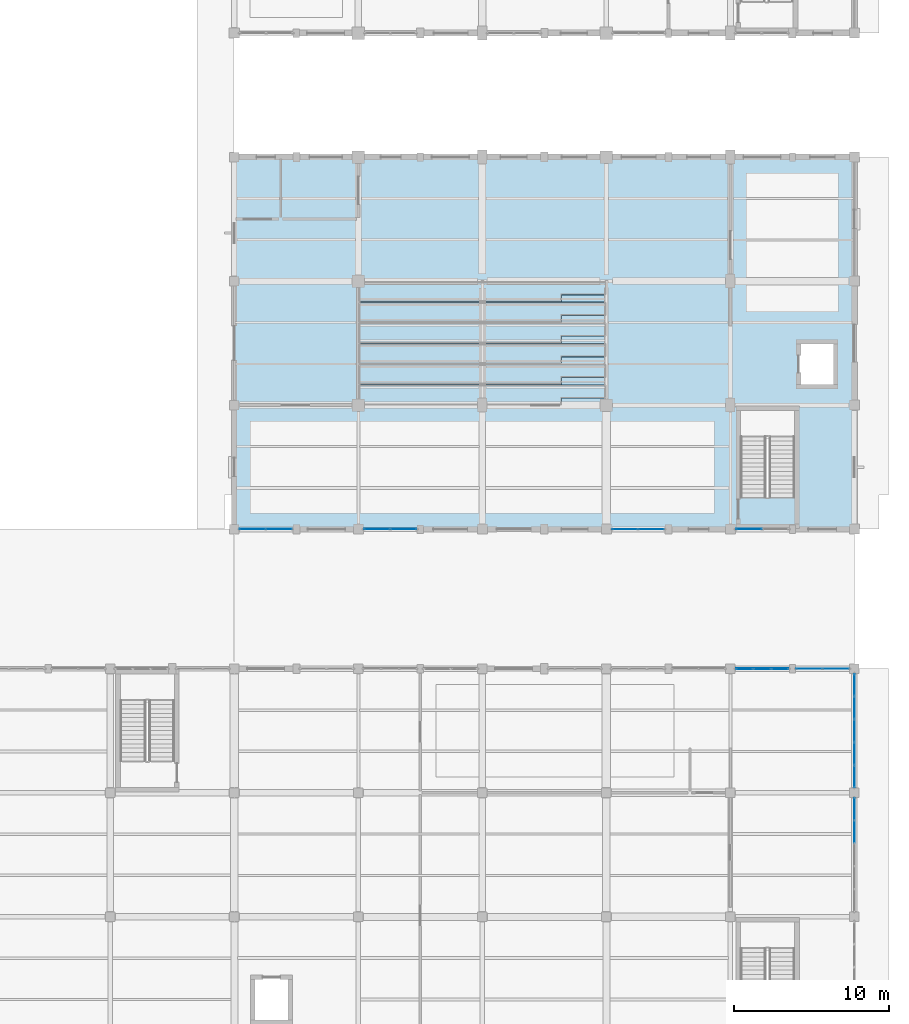
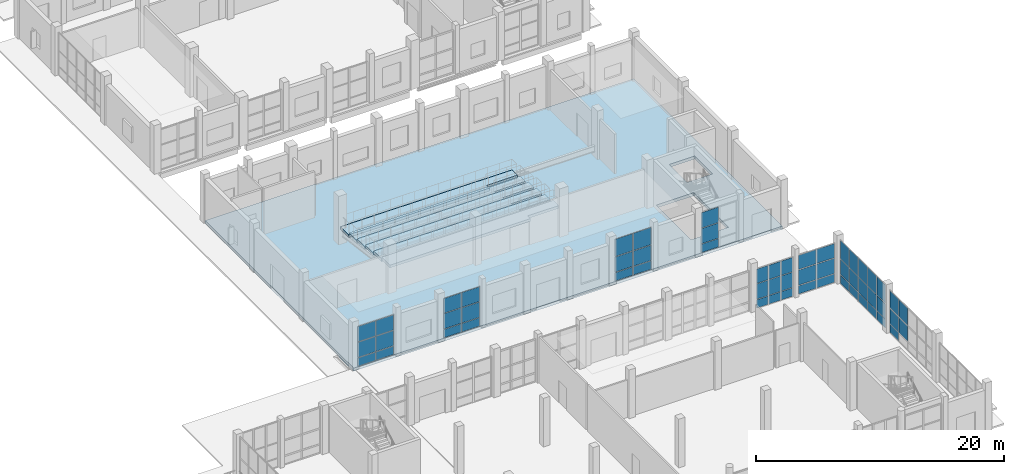
# One storey, part 116 of 156: 56 plates, 7 slabs, 8 elements without a shape of their own.
"""IFC4 building model written with IfcOpenShell, lengths in metres."""

from ifc_helpers import new_model, si_unit, direction, frame, origin, origin_2d, place, context, subcontext, project, spatial, polyline, rectangle, outline, extrude, material, layer, layer_set, type_object, element, aggregate, save


model = new_model("IFC4")

# Units and contexts
model_context = context("Model", 3, precision=1e-05, world=origin(), true_north=direction((0.0, 1.0)))
body_context = subcontext(model_context, "Body", "Model", "MODEL_VIEW")
ifc_project = project(units=[si_unit("LENGTHUNIT", "METRE"), si_unit("AREAUNIT", "SQUARE_METRE"), si_unit("VOLUMEUNIT", "CUBIC_METRE"), si_unit("PLANEANGLEUNIT", "RADIAN"), si_unit("MASSUNIT", "GRAM", prefix="KILO")], contexts=[model_context])

# Site, building, storey
site_placement = place(None, origin())
site = spatial("IfcSite", under=ifc_project, at=site_placement, CompositionType="ELEMENT")
building_placement = place(site_placement, origin())
building = spatial("IfcBuilding", under=site, at=building_placement, Name="Luwemba Playhouse", CompositionType="ELEMENT")
storey_placement = place(building_placement, origin())
storey = spatial("IfcBuildingStorey", under=building, at=storey_placement, Name="L00", CompositionType="ELEMENT", Elevation=0.0)

# Curtain wall, plates
ifc_material_1 = material(Name="Solar-control double glazing", Category="glass")
curtain_wall_type_1 = type_object("IfcCurtainWallType", Name="CW-CW15", PredefinedType="USERDEFINED", material=ifc_material_1)
curtain_wall_1_placement = place(storey_placement, origin())
curtain_wall_1 = element("IfcCurtainWall", 1, at=curtain_wall_1_placement, inside=storey, type_object=curtain_wall_type_1, Name="L00 V3 unitised curtain wall 015", ObjectType="UNITISED GLAZING", PredefinedType="USERDEFINED")
ifc_layer_1 = layer(ifc_material_1, 0.02392578125)
ifc_layer_set_1 = layer_set([ifc_layer_1], Name="Solar-control double glazing")
plate_type_1 = type_object("IfcPlateType", Name="CWP-P1", PredefinedType="CURTAIN_PANEL", material=ifc_layer_set_1)
plate_1_placement = place(storey_placement, frame((158.8974609375, 36.0, 0.06005859375), z_axis=(0.0, 0.0, 1.0), x_axis=(-1.0, 0.0, 0.0)))
plate_1 = element("IfcPlate", 2, at=plate_1_placement, type_object=plate_type_1, Name="CW15 panel 1.1", PredefinedType="CURTAIN_PANEL", context=body_context, shape_type="SweptSolid", body=[
    extrude(rectangle(XDim=1.635009765625, YDim=0.02392578125, at=origin_2d()), origin(), (0.0, 0.0, 1.0), 0.81005859375),
])
plate_2_placement = place(storey_placement, frame((158.8974609375, 36.0, 0.93017578125), z_axis=(0.0, 0.0, 1.0), x_axis=(-1.0, 0.0, 0.0)))
plate_2 = element("IfcPlate", 3, at=plate_2_placement, type_object=plate_type_1, Name="CW15 panel 1.2", PredefinedType="CURTAIN_PANEL", context=body_context, shape_type="SweptSolid", body=[
    extrude(rectangle(XDim=1.635009765625, YDim=0.02392578125, at=origin_2d()), origin(), (0.0, 0.0, 1.0), 1.489990234375),
])
plate_3_placement = place(storey_placement, frame((158.8974609375, 36.0, 2.47998046875), z_axis=(0.0, 0.0, 1.0), x_axis=(-1.0, 0.0, 0.0)))
plate_3 = element("IfcPlate", 4, at=plate_3_placement, type_object=plate_type_1, Name="CW15 panel 1.3", PredefinedType="CURTAIN_PANEL", context=body_context, shape_type="SweptSolid", body=[
    extrude(rectangle(XDim=1.635009765625, YDim=0.02392578125, at=origin_2d()), origin(), (0.0, 0.0, 1.0), 1.695068359375),
])
plate_4_placement = place(storey_placement, frame((157.202392578125, 36.0, 0.06005859375), z_axis=(0.0, 0.0, 1.0), x_axis=(-1.0, 0.0, 0.0)))
plate_4 = element("IfcPlate", 5, at=plate_4_placement, type_object=plate_type_1, Name="CW15 panel 2.1", PredefinedType="CURTAIN_PANEL", context=body_context, shape_type="SweptSolid", body=[
    extrude(rectangle(XDim=1.635009765625, YDim=0.02392578125, at=origin_2d()), origin(), (0.0, 0.0, 1.0), 0.81005859375),
])
plate_5_placement = place(storey_placement, frame((157.202392578125, 36.0, 0.93017578125), z_axis=(0.0, 0.0, 1.0), x_axis=(-1.0, 0.0, 0.0)))
plate_5 = element("IfcPlate", 6, at=plate_5_placement, type_object=plate_type_1, Name="CW15 panel 2.2", PredefinedType="CURTAIN_PANEL", context=body_context, shape_type="SweptSolid", body=[
    extrude(rectangle(XDim=1.635009765625, YDim=0.02392578125, at=origin_2d()), origin(), (0.0, 0.0, 1.0), 1.489990234375),
])
plate_6_placement = place(storey_placement, frame((157.202392578125, 36.0, 2.47998046875), z_axis=(0.0, 0.0, 1.0), x_axis=(-1.0, 0.0, 0.0)))
plate_6 = element("IfcPlate", 7, at=plate_6_placement, type_object=plate_type_1, Name="CW15 panel 2.3", PredefinedType="CURTAIN_PANEL", context=body_context, shape_type="SweptSolid", body=[
    extrude(rectangle(XDim=1.635009765625, YDim=0.02392578125, at=origin_2d()), origin(), (0.0, 0.0, 1.0), 1.695068359375),
])
aggregate(curtain_wall_1, [plate_1, plate_2, plate_3, plate_4, plate_5, plate_6])

curtain_wall_type_2 = type_object("IfcCurtainWallType", Name="CW-CW57", PredefinedType="USERDEFINED", material=ifc_material_1)
curtain_wall_2_placement = place(storey_placement, origin())
curtain_wall_2 = element("IfcCurtainWall", 8, at=curtain_wall_2_placement, inside=storey, type_object=curtain_wall_type_2, Name="L00 V5E unitised curtain wall 067", ObjectType="UNITISED GLAZING", PredefinedType="USERDEFINED")
plate_7_placement = place(storey_placement, frame((169.090087890625, 27.0, 0.06005859375), z_axis=(0.0, 0.0, 1.0), x_axis=(1.0, 0.0, 0.0)))
plate_7 = element("IfcPlate", 9, at=plate_7_placement, type_object=plate_type_1, Name="CW57 panel 1.1", PredefinedType="CURTAIN_PANEL", context=body_context, shape_type="SweptSolid", body=[
    extrude(rectangle(XDim=1.659912109375, YDim=0.02392578125, at=origin_2d()), origin(), (0.0, 0.0, 1.0), 0.81005859375),
])
plate_8_placement = place(storey_placement, frame((169.090087890625, 27.0, 0.93017578125), z_axis=(0.0, 0.0, 1.0), x_axis=(1.0, 0.0, 0.0)))
plate_8 = element("IfcPlate", 10, at=plate_8_placement, type_object=plate_type_1, Name="CW57 panel 1.2", PredefinedType="CURTAIN_PANEL", context=body_context, shape_type="SweptSolid", body=[
    extrude(rectangle(XDim=1.659912109375, YDim=0.02392578125, at=origin_2d()), origin(), (0.0, 0.0, 1.0), 1.489990234375),
])
plate_9_placement = place(storey_placement, frame((169.090087890625, 27.0, 2.47998046875), z_axis=(0.0, 0.0, 1.0), x_axis=(1.0, 0.0, 0.0)))
plate_9 = element("IfcPlate", 11, at=plate_9_placement, type_object=plate_type_1, Name="CW57 panel 1.3", PredefinedType="CURTAIN_PANEL", context=body_context, shape_type="SweptSolid", body=[
    extrude(rectangle(XDim=1.659912109375, YDim=0.02392578125, at=origin_2d()), origin(), (0.0, 0.0, 1.0), 1.39501953125),
])
plate_10_placement = place(storey_placement, frame((170.81005859375, 27.0, 0.06005859375), z_axis=(0.0, 0.0, 1.0), x_axis=(1.0, 0.0, 0.0)))
plate_10 = element("IfcPlate", 12, at=plate_10_placement, type_object=plate_type_1, Name="CW57 panel 2.1", PredefinedType="CURTAIN_PANEL", context=body_context, shape_type="SweptSolid", body=[
    extrude(rectangle(XDim=1.659912109375, YDim=0.02392578125, at=origin_2d()), origin(), (0.0, 0.0, 1.0), 0.81005859375),
])
plate_11_placement = place(storey_placement, frame((170.81005859375, 27.0, 0.93017578125), z_axis=(0.0, 0.0, 1.0), x_axis=(1.0, 0.0, 0.0)))
plate_11 = element("IfcPlate", 13, at=plate_11_placement, type_object=plate_type_1, Name="CW57 panel 2.2", PredefinedType="CURTAIN_PANEL", context=body_context, shape_type="SweptSolid", body=[
    extrude(rectangle(XDim=1.659912109375, YDim=0.02392578125, at=origin_2d()), origin(), (0.0, 0.0, 1.0), 1.489990234375),
])
plate_12_placement = place(storey_placement, frame((170.81005859375, 27.0, 2.47998046875), z_axis=(0.0, 0.0, 1.0), x_axis=(1.0, 0.0, 0.0)))
plate_12 = element("IfcPlate", 14, at=plate_12_placement, type_object=plate_type_1, Name="CW57 panel 2.3", PredefinedType="CURTAIN_PANEL", context=body_context, shape_type="SweptSolid", body=[
    extrude(rectangle(XDim=1.659912109375, YDim=0.02392578125, at=origin_2d()), origin(), (0.0, 0.0, 1.0), 1.39501953125),
])
aggregate(curtain_wall_2, [plate_7, plate_8, plate_9, plate_10, plate_11, plate_12])

curtain_wall_type_3 = type_object("IfcCurtainWallType", Name="CW-CW16", PredefinedType="USERDEFINED", material=ifc_material_1)
curtain_wall_3_placement = place(storey_placement, origin())
curtain_wall_3 = element("IfcCurtainWall", 15, at=curtain_wall_3_placement, inside=storey, type_object=curtain_wall_type_3, Name="L00 V3 unitised curtain wall 016", ObjectType="UNITISED GLAZING", PredefinedType="USERDEFINED")
ifc_layer_2 = layer(ifc_material_1, 0.028076171875)
ifc_layer_set_2 = layer_set([ifc_layer_2], Name="Solar-control double glazing")
plate_type_2 = type_object("IfcPlateType", Name="CWP-P2", PredefinedType="CURTAIN_PANEL", material=ifc_layer_set_2)
plate_13_placement = place(storey_placement, frame((142.9150390625, 36.0, 0.05517578125), z_axis=(0.0, 0.0, 1.0), x_axis=(-1.0, 0.0, 0.0)))
plate_13 = element("IfcPlate", 16, at=plate_13_placement, type_object=plate_type_2, Name="CW16 panel 1.1", PredefinedType="CURTAIN_PANEL", context=body_context, shape_type="SweptSolid", body=[
    extrude(rectangle(XDim=1.639892578125, YDim=0.028076171875, at=origin_2d()), origin(), (0.0, 0.0, 1.0), 0.8173828125),
])
plate_14_placement = place(storey_placement, frame((142.9150390625, 36.0, 0.927490234375), z_axis=(0.0, 0.0, 1.0), x_axis=(-1.0, 0.0, 0.0)))
plate_14 = element("IfcPlate", 17, at=plate_14_placement, type_object=plate_type_2, Name="CW16 panel 1.2", PredefinedType="CURTAIN_PANEL", context=body_context, shape_type="SweptSolid", body=[
    extrude(rectangle(XDim=1.639892578125, YDim=0.028076171875, at=origin_2d()), origin(), (0.0, 0.0, 1.0), 1.4951171875),
])
plate_15_placement = place(storey_placement, frame((142.9150390625, 36.0, 2.4775390625), z_axis=(0.0, 0.0, 1.0), x_axis=(-1.0, 0.0, 0.0)))
plate_15 = element("IfcPlate", 18, at=plate_15_placement, type_object=plate_type_2, Name="CW16 panel 1.3", PredefinedType="CURTAIN_PANEL", context=body_context, shape_type="SweptSolid", body=[
    extrude(rectangle(XDim=1.639892578125, YDim=0.028076171875, at=origin_2d()), origin(), (0.0, 0.0, 1.0), 1.452392578125),
])
plate_16_placement = place(storey_placement, frame((141.2099609375, 36.0, 0.05517578125), z_axis=(0.0, 0.0, 1.0), x_axis=(-1.0, 0.0, 0.0)))
plate_16 = element("IfcPlate", 19, at=plate_16_placement, type_object=plate_type_2, Name="CW16 panel 2.1", PredefinedType="CURTAIN_PANEL", context=body_context, shape_type="SweptSolid", body=[
    extrude(rectangle(XDim=1.639892578125, YDim=0.028076171875, at=origin_2d()), origin(), (0.0, 0.0, 1.0), 0.8173828125),
])
plate_17_placement = place(storey_placement, frame((141.2099609375, 36.0, 0.927490234375), z_axis=(0.0, 0.0, 1.0), x_axis=(-1.0, 0.0, 0.0)))
plate_17 = element("IfcPlate", 20, at=plate_17_placement, type_object=plate_type_2, Name="CW16 panel 2.2", PredefinedType="CURTAIN_PANEL", context=body_context, shape_type="SweptSolid", body=[
    extrude(rectangle(XDim=1.639892578125, YDim=0.028076171875, at=origin_2d()), origin(), (0.0, 0.0, 1.0), 1.4951171875),
])
plate_18_placement = place(storey_placement, frame((141.2099609375, 36.0, 2.4775390625), z_axis=(0.0, 0.0, 1.0), x_axis=(-1.0, 0.0, 0.0)))
plate_18 = element("IfcPlate", 21, at=plate_18_placement, type_object=plate_type_2, Name="CW16 panel 2.3", PredefinedType="CURTAIN_PANEL", context=body_context, shape_type="SweptSolid", body=[
    extrude(rectangle(XDim=1.639892578125, YDim=0.028076171875, at=origin_2d()), origin(), (0.0, 0.0, 1.0), 1.452392578125),
])
aggregate(curtain_wall_3, [plate_13, plate_14, plate_15, plate_16, plate_17, plate_18])

curtain_wall_type_4 = type_object("IfcCurtainWallType", Name="CW-CW58", PredefinedType="USERDEFINED", material=ifc_material_1)
curtain_wall_4_placement = place(storey_placement, origin())
curtain_wall_4 = element("IfcCurtainWall", 22, at=curtain_wall_4_placement, inside=storey, type_object=curtain_wall_type_4, Name="L00 V5E unitised curtain wall 068", ObjectType="UNITISED GLAZING", PredefinedType="USERDEFINED")
plate_19_placement = place(storey_placement, frame((172.0, 25.94384765625, 0.05517578125), z_axis=(0.0, 0.0, 1.0), x_axis=(0.0, -1.0, 0.0)))
plate_19 = element("IfcPlate", 23, at=plate_19_placement, type_object=plate_type_2, Name="CW58 panel 1.1", PredefinedType="CURTAIN_PANEL", context=body_context, shape_type="SweptSolid", body=[
    extrude(rectangle(XDim=1.382568359375, YDim=0.028076171875, at=origin_2d()), origin(), (0.0, 0.0, 1.0), 0.8173828125),
])
plate_20_placement = place(storey_placement, frame((172.0, 25.94384765625, 0.927490234375), z_axis=(0.0, 0.0, 1.0), x_axis=(0.0, -1.0, 0.0)))
plate_20 = element("IfcPlate", 24, at=plate_20_placement, type_object=plate_type_2, Name="CW58 panel 1.2", PredefinedType="CURTAIN_PANEL", context=body_context, shape_type="SweptSolid", body=[
    extrude(rectangle(XDim=1.382568359375, YDim=0.028076171875, at=origin_2d()), origin(), (0.0, 0.0, 1.0), 1.4951171875),
])
plate_21_placement = place(storey_placement, frame((172.0, 25.94384765625, 2.4775390625), z_axis=(0.0, 0.0, 1.0), x_axis=(0.0, -1.0, 0.0)))
plate_21 = element("IfcPlate", 25, at=plate_21_placement, type_object=plate_type_2, Name="CW58 panel 1.3", PredefinedType="CURTAIN_PANEL", context=body_context, shape_type="SweptSolid", body=[
    extrude(rectangle(XDim=1.382568359375, YDim=0.028076171875, at=origin_2d()), origin(), (0.0, 0.0, 1.0), 1.802490234375),
])
plate_22_placement = place(storey_placement, frame((172.0, 24.47998046875, 0.05517578125), z_axis=(0.0, 0.0, 1.0), x_axis=(0.0, -1.0, 0.0)))
plate_22 = element("IfcPlate", 26, at=plate_22_placement, type_object=plate_type_2, Name="CW58 panel 2.1", PredefinedType="CURTAIN_PANEL", context=body_context, shape_type="SweptSolid", body=[
    extrude(rectangle(XDim=1.4150390625, YDim=0.028076171875, at=origin_2d()), origin(), (0.0, 0.0, 1.0), 0.8173828125),
])
plate_23_placement = place(storey_placement, frame((172.0, 24.47998046875, 0.927490234375), z_axis=(0.0, 0.0, 1.0), x_axis=(0.0, -1.0, 0.0)))
plate_23 = element("IfcPlate", 27, at=plate_23_placement, type_object=plate_type_2, Name="CW58 panel 2.2", PredefinedType="CURTAIN_PANEL", context=body_context, shape_type="SweptSolid", body=[
    extrude(rectangle(XDim=1.4150390625, YDim=0.028076171875, at=origin_2d()), origin(), (0.0, 0.0, 1.0), 1.4951171875),
])
plate_24_placement = place(storey_placement, frame((172.0, 24.47998046875, 2.4775390625), z_axis=(0.0, 0.0, 1.0), x_axis=(0.0, -1.0, 0.0)))
plate_24 = element("IfcPlate", 28, at=plate_24_placement, type_object=plate_type_2, Name="CW58 panel 2.3", PredefinedType="CURTAIN_PANEL", context=body_context, shape_type="SweptSolid", body=[
    extrude(rectangle(XDim=1.4150390625, YDim=0.028076171875, at=origin_2d()), origin(), (0.0, 0.0, 1.0), 1.802490234375),
])
plate_25_placement = place(storey_placement, frame((172.0, 23.0, 0.05517578125), z_axis=(0.0, 0.0, 1.0), x_axis=(0.0, -1.0, 0.0)))
plate_25 = element("IfcPlate", 29, at=plate_25_placement, type_object=plate_type_2, Name="CW58 panel 3.1", PredefinedType="CURTAIN_PANEL", context=body_context, shape_type="SweptSolid", body=[
    extrude(rectangle(XDim=1.4150390625, YDim=0.028076171875, at=origin_2d()), origin(), (0.0, 0.0, 1.0), 0.8173828125),
])
plate_26_placement = place(storey_placement, frame((172.0, 23.0, 0.927490234375), z_axis=(0.0, 0.0, 1.0), x_axis=(0.0, -1.0, 0.0)))
plate_26 = element("IfcPlate", 30, at=plate_26_placement, type_object=plate_type_2, Name="CW58 panel 3.2", PredefinedType="CURTAIN_PANEL", context=body_context, shape_type="SweptSolid", body=[
    extrude(rectangle(XDim=1.4150390625, YDim=0.028076171875, at=origin_2d()), origin(), (0.0, 0.0, 1.0), 1.4951171875),
])
plate_27_placement = place(storey_placement, frame((172.0, 23.0, 2.4775390625), z_axis=(0.0, 0.0, 1.0), x_axis=(0.0, -1.0, 0.0)))
plate_27 = element("IfcPlate", 31, at=plate_27_placement, type_object=plate_type_2, Name="CW58 panel 3.3", PredefinedType="CURTAIN_PANEL", context=body_context, shape_type="SweptSolid", body=[
    extrude(rectangle(XDim=1.4150390625, YDim=0.028076171875, at=origin_2d()), origin(), (0.0, 0.0, 1.0), 1.802490234375),
])
plate_28_placement = place(storey_placement, frame((172.0, 21.52001953125, 0.05517578125), z_axis=(0.0, 0.0, 1.0), x_axis=(0.0, -1.0, 0.0)))
plate_28 = element("IfcPlate", 32, at=plate_28_placement, type_object=plate_type_2, Name="CW58 panel 4.1", PredefinedType="CURTAIN_PANEL", context=body_context, shape_type="SweptSolid", body=[
    extrude(rectangle(XDim=1.4150390625, YDim=0.028076171875, at=origin_2d()), origin(), (0.0, 0.0, 1.0), 0.8173828125),
])
plate_29_placement = place(storey_placement, frame((172.0, 21.52001953125, 0.927490234375), z_axis=(0.0, 0.0, 1.0), x_axis=(0.0, -1.0, 0.0)))
plate_29 = element("IfcPlate", 33, at=plate_29_placement, type_object=plate_type_2, Name="CW58 panel 4.2", PredefinedType="CURTAIN_PANEL", context=body_context, shape_type="SweptSolid", body=[
    extrude(rectangle(XDim=1.4150390625, YDim=0.028076171875, at=origin_2d()), origin(), (0.0, 0.0, 1.0), 1.4951171875),
])
plate_30_placement = place(storey_placement, frame((172.0, 21.52001953125, 2.4775390625), z_axis=(0.0, 0.0, 1.0), x_axis=(0.0, -1.0, 0.0)))
plate_30 = element("IfcPlate", 34, at=plate_30_placement, type_object=plate_type_2, Name="CW58 panel 4.3", PredefinedType="CURTAIN_PANEL", context=body_context, shape_type="SweptSolid", body=[
    extrude(rectangle(XDim=1.4150390625, YDim=0.028076171875, at=origin_2d()), origin(), (0.0, 0.0, 1.0), 1.802490234375),
])
plate_31_placement = place(storey_placement, frame((172.0, 20.05615234375, 0.05517578125), z_axis=(0.0, 0.0, 1.0), x_axis=(0.0, -1.0, 0.0)))
plate_31 = element("IfcPlate", 35, at=plate_31_placement, type_object=plate_type_2, Name="CW58 panel 5.1", PredefinedType="CURTAIN_PANEL", context=body_context, shape_type="SweptSolid", body=[
    extrude(rectangle(XDim=1.382568359375, YDim=0.028076171875, at=origin_2d()), origin(), (0.0, 0.0, 1.0), 0.8173828125),
])
plate_32_placement = place(storey_placement, frame((172.0, 20.05615234375, 0.927490234375), z_axis=(0.0, 0.0, 1.0), x_axis=(0.0, -1.0, 0.0)))
plate_32 = element("IfcPlate", 36, at=plate_32_placement, type_object=plate_type_2, Name="CW58 panel 5.2", PredefinedType="CURTAIN_PANEL", context=body_context, shape_type="SweptSolid", body=[
    extrude(rectangle(XDim=1.382568359375, YDim=0.028076171875, at=origin_2d()), origin(), (0.0, 0.0, 1.0), 1.4951171875),
])
plate_33_placement = place(storey_placement, frame((172.0, 20.05615234375, 2.4775390625), z_axis=(0.0, 0.0, 1.0), x_axis=(0.0, -1.0, 0.0)))
plate_33 = element("IfcPlate", 37, at=plate_33_placement, type_object=plate_type_2, Name="CW58 panel 5.3", PredefinedType="CURTAIN_PANEL", context=body_context, shape_type="SweptSolid", body=[
    extrude(rectangle(XDim=1.382568359375, YDim=0.028076171875, at=origin_2d()), origin(), (0.0, 0.0, 1.0), 1.802490234375),
])
aggregate(curtain_wall_4, [plate_19, plate_20, plate_21, plate_22, plate_23, plate_24, plate_25, plate_26, plate_27, plate_28, plate_29, plate_30, plate_31, plate_32, plate_33])

curtain_wall_type_5 = type_object("IfcCurtainWallType", Name="CW-CW17", PredefinedType="USERDEFINED", material=ifc_material_1)
curtain_wall_5_placement = place(storey_placement, origin())
curtain_wall_5 = element("IfcCurtainWall", 38, at=curtain_wall_5_placement, inside=storey, type_object=curtain_wall_type_5, Name="L00 V3 unitised curtain wall 017", ObjectType="UNITISED GLAZING", PredefinedType="USERDEFINED")
ifc_layer_3 = layer(ifc_material_1, 0.031982421875)
ifc_layer_set_3 = layer_set([ifc_layer_3], Name="Solar-control double glazing")
plate_type_3 = type_object("IfcPlateType", Name="CWP-P3", PredefinedType="CURTAIN_PANEL", material=ifc_layer_set_3)
plate_34_placement = place(storey_placement, frame((134.892578125, 36.0, 0.06494140625), z_axis=(0.0, 0.0, 1.0), x_axis=(-1.0, 0.0, 0.0)))
plate_34 = element("IfcPlate", 39, at=plate_34_placement, type_object=plate_type_3, Name="CW17 panel 1.1", PredefinedType="CURTAIN_PANEL", context=body_context, shape_type="SweptSolid", body=[
    extrude(rectangle(XDim=1.655029296875, YDim=0.031982421875, at=origin_2d()), origin(), (0.0, 0.0, 1.0), 0.802490234375),
])
plate_35_placement = place(storey_placement, frame((134.892578125, 36.0, 0.9326171875), z_axis=(0.0, 0.0, 1.0), x_axis=(-1.0, 0.0, 0.0)))
plate_35 = element("IfcPlate", 40, at=plate_35_placement, type_object=plate_type_3, Name="CW17 panel 1.2", PredefinedType="CURTAIN_PANEL", context=body_context, shape_type="SweptSolid", body=[
    extrude(rectangle(XDim=1.655029296875, YDim=0.031982421875, at=origin_2d()), origin(), (0.0, 0.0, 1.0), 1.485107421875),
])
plate_36_placement = place(storey_placement, frame((134.892578125, 36.0, 2.482421875), z_axis=(0.0, 0.0, 1.0), x_axis=(-1.0, 0.0, 0.0)))
plate_36 = element("IfcPlate", 41, at=plate_36_placement, type_object=plate_type_3, Name="CW17 panel 1.3", PredefinedType="CURTAIN_PANEL", context=body_context, shape_type="SweptSolid", body=[
    extrude(rectangle(XDim=1.655029296875, YDim=0.031982421875, at=origin_2d()), origin(), (0.0, 0.0, 1.0), 1.487548828125),
])
plate_37_placement = place(storey_placement, frame((133.1826171875, 36.0, 0.06494140625), z_axis=(0.0, 0.0, 1.0), x_axis=(-1.0, 0.0, 0.0)))
plate_37 = element("IfcPlate", 42, at=plate_37_placement, type_object=plate_type_3, Name="CW17 panel 2.1", PredefinedType="CURTAIN_PANEL", context=body_context, shape_type="SweptSolid", body=[
    extrude(rectangle(XDim=1.655029296875, YDim=0.031982421875, at=origin_2d()), origin(), (0.0, 0.0, 1.0), 0.802490234375),
])
plate_38_placement = place(storey_placement, frame((133.1826171875, 36.0, 0.9326171875), z_axis=(0.0, 0.0, 1.0), x_axis=(-1.0, 0.0, 0.0)))
plate_38 = element("IfcPlate", 43, at=plate_38_placement, type_object=plate_type_3, Name="CW17 panel 2.2", PredefinedType="CURTAIN_PANEL", context=body_context, shape_type="SweptSolid", body=[
    extrude(rectangle(XDim=1.655029296875, YDim=0.031982421875, at=origin_2d()), origin(), (0.0, 0.0, 1.0), 1.485107421875),
])
plate_39_placement = place(storey_placement, frame((133.1826171875, 36.0, 2.482421875), z_axis=(0.0, 0.0, 1.0), x_axis=(-1.0, 0.0, 0.0)))
plate_39 = element("IfcPlate", 44, at=plate_39_placement, type_object=plate_type_3, Name="CW17 panel 2.3", PredefinedType="CURTAIN_PANEL", context=body_context, shape_type="SweptSolid", body=[
    extrude(rectangle(XDim=1.655029296875, YDim=0.031982421875, at=origin_2d()), origin(), (0.0, 0.0, 1.0), 1.487548828125),
])
aggregate(curtain_wall_5, [plate_34, plate_35, plate_36, plate_37, plate_38, plate_39])

curtain_wall_type_6 = type_object("IfcCurtainWallType", Name="CW-CW59", PredefinedType="USERDEFINED", material=ifc_material_1)
curtain_wall_6_placement = place(storey_placement, origin())
curtain_wall_6 = element("IfcCurtainWall", 45, at=curtain_wall_6_placement, inside=storey, type_object=curtain_wall_type_6, Name="L00 V5E unitised curtain wall 069", ObjectType="UNITISED GLAZING", PredefinedType="USERDEFINED")
plate_40_placement = place(storey_placement, frame((172.0, 17.9462890625, 0.06494140625), z_axis=(0.0, 0.0, 1.0), x_axis=(0.0, -1.0, 0.0)))
plate_40 = element("IfcPlate", 46, at=plate_40_placement, type_object=plate_type_3, Name="CW59 panel 1.1", PredefinedType="CURTAIN_PANEL", context=body_context, shape_type="SweptSolid", body=[
    extrude(rectangle(XDim=1.3974609375, YDim=0.031982421875, at=origin_2d()), origin(), (0.0, 0.0, 1.0), 0.802490234375),
])
plate_41_placement = place(storey_placement, frame((172.0, 17.9462890625, 0.9326171875), z_axis=(0.0, 0.0, 1.0), x_axis=(0.0, -1.0, 0.0)))
plate_41 = element("IfcPlate", 47, at=plate_41_placement, type_object=plate_type_3, Name="CW59 panel 1.2", PredefinedType="CURTAIN_PANEL", context=body_context, shape_type="SweptSolid", body=[
    extrude(rectangle(XDim=1.3974609375, YDim=0.031982421875, at=origin_2d()), origin(), (0.0, 0.0, 1.0), 1.485107421875),
])
plate_42_placement = place(storey_placement, frame((172.0, 17.9462890625, 2.482421875), z_axis=(0.0, 0.0, 1.0), x_axis=(0.0, -1.0, 0.0)))
plate_42 = element("IfcPlate", 48, at=plate_42_placement, type_object=plate_type_3, Name="CW59 panel 1.3", PredefinedType="CURTAIN_PANEL", context=body_context, shape_type="SweptSolid", body=[
    extrude(rectangle(XDim=1.3974609375, YDim=0.031982421875, at=origin_2d()), origin(), (0.0, 0.0, 1.0), 1.6875),
])
plate_43_placement = place(storey_placement, frame((172.0, 16.47998046875, 0.9326171875), z_axis=(0.0, 0.0, 1.0), x_axis=(0.0, -1.0, 0.0)))
plate_43 = element("IfcPlate", 49, at=plate_43_placement, type_object=plate_type_3, Name="CW59 panel 2.2", PredefinedType="CURTAIN_PANEL", context=body_context, shape_type="SweptSolid", body=[
    extrude(rectangle(XDim=1.425048828125, YDim=0.031982421875, at=origin_2d()), origin(), (0.0, 0.0, 1.0), 1.485107421875),
])
plate_44_placement = place(storey_placement, frame((172.0, 16.47998046875, 2.482421875), z_axis=(0.0, 0.0, 1.0), x_axis=(0.0, -1.0, 0.0)))
plate_44 = element("IfcPlate", 50, at=plate_44_placement, type_object=plate_type_3, Name="CW59 panel 2.3", PredefinedType="CURTAIN_PANEL", context=body_context, shape_type="SweptSolid", body=[
    extrude(rectangle(XDim=1.425048828125, YDim=0.031982421875, at=origin_2d()), origin(), (0.0, 0.0, 1.0), 1.6875),
])
aggregate(curtain_wall_6, [plate_40, plate_41, plate_42, plate_43, plate_44])

curtain_wall_type_7 = type_object("IfcCurtainWallType", Name="CW-CW14", PredefinedType="USERDEFINED", material=ifc_material_1)
curtain_wall_7_placement = place(storey_placement, origin())
curtain_wall_7 = element("IfcCurtainWall", 51, at=curtain_wall_7_placement, inside=storey, type_object=curtain_wall_type_7, Name="L00 V3 unitised curtain wall 014", ObjectType="UNITISED GLAZING", PredefinedType="USERDEFINED")
ifc_layer_4 = layer(ifc_material_1, 0.035888671875)
ifc_layer_set_4 = layer_set([ifc_layer_4], Name="Solar-control double glazing")
plate_type_4 = type_object("IfcPlateType", Name="CWP-P4", PredefinedType="CURTAIN_PANEL", material=ifc_layer_set_4)
plate_45_placement = place(storey_placement, frame((165.211181640625, 36.0, 0.0498046875), z_axis=(0.0, 0.0, 1.0), x_axis=(-1.0, 0.0, 0.0)))
plate_45 = element("IfcPlate", 52, at=plate_45_placement, type_object=plate_type_4, Name="CW14 panel 2.1", PredefinedType="CURTAIN_PANEL", context=body_context, shape_type="SweptSolid", body=[
    extrude(rectangle(XDim=1.632568359375, YDim=0.035888671875, at=origin_2d()), origin(), (0.0, 0.0, 1.0), 0.824951171875),
])
plate_46_placement = place(storey_placement, frame((165.211181640625, 36.0, 0.925048828125), z_axis=(0.0, 0.0, 1.0), x_axis=(-1.0, 0.0, 0.0)))
plate_46 = element("IfcPlate", 53, at=plate_46_placement, type_object=plate_type_4, Name="CW14 panel 2.2", PredefinedType="CURTAIN_PANEL", context=body_context, shape_type="SweptSolid", body=[
    extrude(rectangle(XDim=1.632568359375, YDim=0.035888671875, at=origin_2d()), origin(), (0.0, 0.0, 1.0), 1.5),
])
plate_47_placement = place(storey_placement, frame((165.211181640625, 36.0, 2.47509765625), z_axis=(0.0, 0.0, 1.0), x_axis=(-1.0, 0.0, 0.0)))
plate_47 = element("IfcPlate", 54, at=plate_47_placement, type_object=plate_type_4, Name="CW14 panel 2.3", PredefinedType="CURTAIN_PANEL", context=body_context, shape_type="SweptSolid", body=[
    extrude(rectangle(XDim=1.632568359375, YDim=0.035888671875, at=origin_2d()), origin(), (0.0, 0.0, 1.0), 1.510009765625),
])
aggregate(curtain_wall_7, [plate_45, plate_46, plate_47])

curtain_wall_type_8 = type_object("IfcCurtainWallType", Name="CW-CW56", PredefinedType="USERDEFINED", material=ifc_material_1)
curtain_wall_8_placement = place(storey_placement, origin())
curtain_wall_8 = element("IfcCurtainWall", 55, at=curtain_wall_8_placement, inside=storey, type_object=curtain_wall_type_8, Name="L00 V5E unitised curtain wall 066", ObjectType="UNITISED GLAZING", PredefinedType="USERDEFINED")
plate_48_placement = place(storey_placement, frame((164.90087890625, 27.0, 0.0498046875), z_axis=(0.0, 0.0, 1.0), x_axis=(1.0, 0.0, 0.0)))
plate_48 = element("IfcPlate", 56, at=plate_48_placement, type_object=plate_type_4, Name="CW56 panel 1.1", PredefinedType="CURTAIN_PANEL", context=body_context, shape_type="SweptSolid", body=[
    extrude(rectangle(XDim=1.061767578125, YDim=0.035888671875, at=origin_2d()), origin(), (0.0, 0.0, 1.0), 0.824951171875),
])
plate_49_placement = place(storey_placement, frame((164.90087890625, 27.0, 0.925048828125), z_axis=(0.0, 0.0, 1.0), x_axis=(1.0, 0.0, 0.0)))
plate_49 = element("IfcPlate", 57, at=plate_49_placement, type_object=plate_type_4, Name="CW56 panel 1.2", PredefinedType="CURTAIN_PANEL", context=body_context, shape_type="SweptSolid", body=[
    extrude(rectangle(XDim=1.061767578125, YDim=0.035888671875, at=origin_2d()), origin(), (0.0, 0.0, 1.0), 1.5),
])
plate_50_placement = place(storey_placement, frame((164.90087890625, 27.0, 2.47509765625), z_axis=(0.0, 0.0, 1.0), x_axis=(1.0, 0.0, 0.0)))
plate_50 = element("IfcPlate", 58, at=plate_50_placement, type_object=plate_type_4, Name="CW56 panel 1.3", PredefinedType="CURTAIN_PANEL", context=body_context, shape_type="SweptSolid", body=[
    extrude(rectangle(XDim=1.061767578125, YDim=0.035888671875, at=origin_2d()), origin(), (0.0, 0.0, 1.0), 1.409912109375),
])
plate_51_placement = place(storey_placement, frame((166.050048828125, 27.0, 0.0498046875), z_axis=(0.0, 0.0, 1.0), x_axis=(1.0, 0.0, 0.0)))
plate_51 = element("IfcPlate", 59, at=plate_51_placement, type_object=plate_type_4, Name="CW56 panel 2.1", PredefinedType="CURTAIN_PANEL", context=body_context, shape_type="SweptSolid", body=[
    extrude(rectangle(XDim=1.0966796875, YDim=0.035888671875, at=origin_2d()), origin(), (0.0, 0.0, 1.0), 0.824951171875),
])
plate_52_placement = place(storey_placement, frame((166.050048828125, 27.0, 0.925048828125), z_axis=(0.0, 0.0, 1.0), x_axis=(1.0, 0.0, 0.0)))
plate_52 = element("IfcPlate", 60, at=plate_52_placement, type_object=plate_type_4, Name="CW56 panel 2.2", PredefinedType="CURTAIN_PANEL", context=body_context, shape_type="SweptSolid", body=[
    extrude(rectangle(XDim=1.0966796875, YDim=0.035888671875, at=origin_2d()), origin(), (0.0, 0.0, 1.0), 1.5),
])
plate_53_placement = place(storey_placement, frame((166.050048828125, 27.0, 2.47509765625), z_axis=(0.0, 0.0, 1.0), x_axis=(1.0, 0.0, 0.0)))
plate_53 = element("IfcPlate", 61, at=plate_53_placement, type_object=plate_type_4, Name="CW56 panel 2.3", PredefinedType="CURTAIN_PANEL", context=body_context, shape_type="SweptSolid", body=[
    extrude(rectangle(XDim=1.0966796875, YDim=0.035888671875, at=origin_2d()), origin(), (0.0, 0.0, 1.0), 1.409912109375),
])
plate_54_placement = place(storey_placement, frame((167.19921875, 27.0, 0.0498046875), z_axis=(0.0, 0.0, 1.0), x_axis=(1.0, 0.0, 0.0)))
plate_54 = element("IfcPlate", 62, at=plate_54_placement, type_object=plate_type_4, Name="CW56 panel 3.1", PredefinedType="CURTAIN_PANEL", context=body_context, shape_type="SweptSolid", body=[
    extrude(rectangle(XDim=1.061767578125, YDim=0.035888671875, at=origin_2d()), origin(), (0.0, 0.0, 1.0), 0.824951171875),
])
plate_55_placement = place(storey_placement, frame((167.19921875, 27.0, 0.925048828125), z_axis=(0.0, 0.0, 1.0), x_axis=(1.0, 0.0, 0.0)))
plate_55 = element("IfcPlate", 63, at=plate_55_placement, type_object=plate_type_4, Name="CW56 panel 3.2", PredefinedType="CURTAIN_PANEL", context=body_context, shape_type="SweptSolid", body=[
    extrude(rectangle(XDim=1.061767578125, YDim=0.035888671875, at=origin_2d()), origin(), (0.0, 0.0, 1.0), 1.5),
])
plate_56_placement = place(storey_placement, frame((167.19921875, 27.0, 2.47509765625), z_axis=(0.0, 0.0, 1.0), x_axis=(1.0, 0.0, 0.0)))
plate_56 = element("IfcPlate", 64, at=plate_56_placement, type_object=plate_type_4, Name="CW56 panel 3.3", PredefinedType="CURTAIN_PANEL", context=body_context, shape_type="SweptSolid", body=[
    extrude(rectangle(XDim=1.061767578125, YDim=0.035888671875, at=origin_2d()), origin(), (0.0, 0.0, 1.0), 1.409912109375),
])
aggregate(curtain_wall_8, [plate_48, plate_49, plate_50, plate_51, plate_52, plate_53, plate_54, plate_55, plate_56])

# Slabs
ifc_material_2 = material(Name="Concrete C40/50", Category="concrete")
ifc_layer_5 = layer(ifc_material_2, 0.300048828125)
ifc_layer_set_5 = layer_set([ifc_layer_5], Name="Concrete C40/50")
slab_type_1 = type_object("IfcSlabType", Name="SLB-HVY-300", PredefinedType="FLOOR", material=ifc_layer_set_5)
slab_1_placement = place(storey_placement, frame((0.0, 0.0, -0.300048828125)))
element("IfcSlab", 65, at=slab_1_placement, inside=storey, type_object=slab_type_1, Name="L00 V3 structural floor slab", PredefinedType="FLOOR", context=body_context, shape_type="SweptSolid", body=[
    extrude(outline(polyline([(172.0, 60.0), (172.0, 36.0), (132.0, 36.0), (132.0, 60.0), (172.0, 60.0)]), holes=[polyline([(168.14990234375, 43.659912109375), (164.64990234375, 43.659912109375), (164.64990234375, 38.0400390625), (168.14990234375, 38.0400390625), (168.14990234375, 43.659912109375)]), polyline([(170.800048828125, 45.199951171875), (170.800048828125, 48.10009765625), (168.39990234375, 48.10009765625), (168.39990234375, 45.199951171875), (170.800048828125, 45.199951171875)])]), origin(), (0.0, 0.0, 1.0), 0.300048828125),
])
ifc_material_3 = material(Name="Concrete C32/40", Category="concrete")
ifc_layer_6 = layer(ifc_material_3, 0.27490234375)
ifc_layer_set_6 = layer_set([ifc_layer_6], Name="Concrete C32/40")
slab_type_2 = type_object("IfcSlabType", Name="SLB-TIER-275", PredefinedType="USERDEFINED", material=ifc_layer_set_6)
slab_2_placement = place(storey_placement, frame((0.0, 0.0, 2.22509765625)))
element("IfcSlab", 66, at=slab_2_placement, inside=storey, type_object=slab_type_2, Name="Stand Studio Bay 1", ObjectType="SEATING TIER", PredefinedType="USERDEFINED", context=body_context, shape_type="SweptSolid", body=[
    extrude(outline(polyline([(140.0, 44.0), (153.1201171875, 44.0), (153.1201171875, 44.449951171875), (156.0, 44.449951171875), (156.0, 45.313232421875), (140.0, 45.313232421875), (140.0, 44.0)])), origin(), (0.0, 0.0, 1.0), 0.27490234375),
])
slab_3_placement = place(storey_placement, frame((0.0, 0.0, 2.0166015625)))
element("IfcSlab", 67, at=slab_3_placement, inside=storey, type_object=slab_type_2, Name="Stand Studio Bay 2", ObjectType="SEATING TIER", PredefinedType="USERDEFINED", context=body_context, shape_type="SweptSolid", body=[
    extrude(outline(polyline([(140.0, 45.333251953125), (153.1201171875, 45.333251953125), (153.1201171875, 45.783203125), (156.0, 45.783203125), (156.0, 46.646484375), (140.0, 46.646484375), (140.0, 45.333251953125)])), origin(), (0.0, 0.0, 1.0), 0.275146484375),
])
slab_4_placement = place(storey_placement, frame((0.0, 0.0, 1.808349609375)))
element("IfcSlab", 68, at=slab_4_placement, inside=storey, type_object=slab_type_2, Name="Stand Studio Bay 3", ObjectType="SEATING TIER", PredefinedType="USERDEFINED", context=body_context, shape_type="SweptSolid", body=[
    extrude(outline(polyline([(140.0, 46.666748046875), (153.1201171875, 46.666748046875), (153.1201171875, 47.11669921875), (156.0, 47.11669921875), (156.0, 47.97998046875), (140.0, 47.97998046875), (140.0, 46.666748046875)])), origin(), (0.0, 0.0, 1.0), 0.27490234375),
])
slab_5_placement = place(storey_placement, frame((0.0, 0.0, 1.60009765625)))
element("IfcSlab", 69, at=slab_5_placement, inside=storey, type_object=slab_type_2, Name="Stand Studio Bay 4", ObjectType="SEATING TIER", PredefinedType="USERDEFINED", context=body_context, shape_type="SweptSolid", body=[
    extrude(outline(polyline([(140.0, 48.0), (153.1201171875, 48.0), (153.1201171875, 48.449951171875), (156.0, 48.449951171875), (156.0, 49.313232421875), (140.0, 49.313232421875), (140.0, 48.0)])), origin(), (0.0, 0.0, 1.0), 0.27490234375),
])
slab_6_placement = place(storey_placement, frame((0.0, 0.0, 1.3916015625)))
element("IfcSlab", 70, at=slab_6_placement, inside=storey, type_object=slab_type_2, Name="Stand Studio Bay 5", ObjectType="SEATING TIER", PredefinedType="USERDEFINED", context=body_context, shape_type="SweptSolid", body=[
    extrude(outline(polyline([(140.0, 49.333251953125), (153.1201171875, 49.333251953125), (153.1201171875, 49.783203125), (156.0, 49.783203125), (156.0, 50.646484375), (140.0, 50.646484375), (140.0, 49.333251953125)])), origin(), (0.0, 0.0, 1.0), 0.275146484375),
])
slab_7_placement = place(storey_placement, frame((0.0, 0.0, 1.183349609375)))
element("IfcSlab", 71, at=slab_7_placement, inside=storey, type_object=slab_type_2, Name="Stand Studio Bay 6", ObjectType="SEATING TIER", PredefinedType="USERDEFINED", context=body_context, shape_type="SweptSolid", body=[
    extrude(outline(polyline([(140.0, 50.666748046875), (153.1201171875, 50.666748046875), (153.1201171875, 51.11669921875), (156.0, 51.11669921875), (156.0, 51.97998046875), (140.0, 51.97998046875), (140.0, 50.666748046875)])), origin(), (0.0, 0.0, 1.0), 0.27490234375),
])

save(model, "model.ifc")
